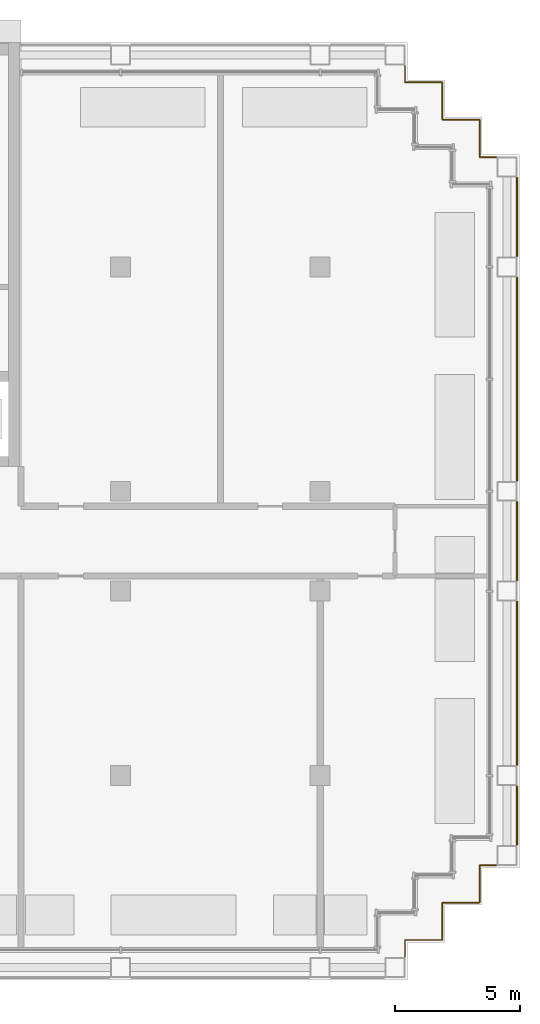
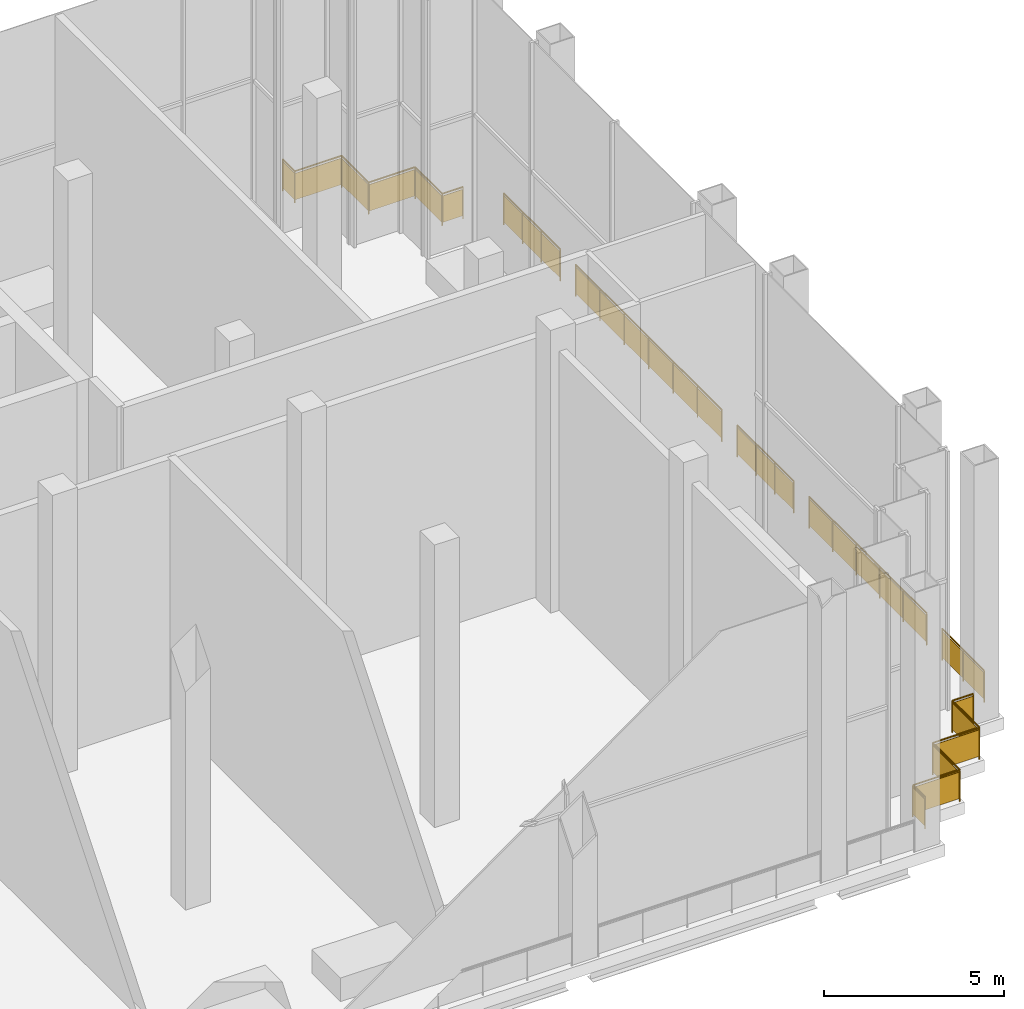
# One storey, part 15 of 16: 7 railings.
"""IFC4 building model written with IfcOpenShell, lengths in metres."""

from ifc_helpers import new_model, si_unit, direction, frame, origin, origin_2d, place, context, subcontext, project, spatial, rectangle, circle, extrude, material, type_object, element, save


model = new_model("IFC4")

# Units and contexts
model_context = context("Model", 3, precision=1e-05, world=origin(), true_north=direction((0.0, 1.0)))
body_context = subcontext(model_context, "Body", "Model", "MODEL_VIEW")
ifc_project = project(units=[si_unit("LENGTHUNIT", "METRE"), si_unit("AREAUNIT", "SQUARE_METRE"), si_unit("VOLUMEUNIT", "CUBIC_METRE"), si_unit("PLANEANGLEUNIT", "RADIAN"), si_unit("MASSUNIT", "GRAM", prefix="KILO")], contexts=[model_context])

# Site, building, storey
site_placement = place(None, origin())
site = spatial("IfcSite", under=ifc_project, at=site_placement, CompositionType="ELEMENT")
building_placement = place(site_placement, origin())
building = spatial("IfcBuilding", under=site, at=building_placement, Name="Vidyagriha Tower", CompositionType="ELEMENT")
storey_placement = place(building_placement, frame((0.0, 0.0, 151.800048828125)))
storey = spatial("IfcBuildingStorey", under=building, at=storey_placement, Name="L40", CompositionType="ELEMENT", Elevation=151.800048828125)

# Railings
ifc_material = material(Name="Steel ASTM A500 Grade C black painted", Category="steel")
railing_type = type_object("IfcRailingType", Name="Gallery guard 1100", PredefinedType="GUARDRAIL", material=ifc_material)
railing_1_placement = place(storey_placement, frame((33.070068359375, -13.0, 0.0)))
element("IfcRailing", 1, at=railing_1_placement, inside=storey, type_object=railing_type, Name="Gallery guard L40 21", PredefinedType="GUARDRAIL", context=body_context, shape_type="SweptSolid", body=[
    extrude(circle(Radius=0.02490234375, at=origin_2d()), frame((0.0, 0.0, 1.0751953125), z_axis=(-1.0, 0.0, 0.0), x_axis=(0.0, -1.0, 0.0)), (0.0, 0.0, 1.0), 0.670166015625),
    extrude(circle(Radius=0.02490234375, at=origin_2d()), frame((-0.670166015625, 0.0, 1.0751953125), z_axis=(0.0, -1.0, 0.0), x_axis=(1.0, 0.0, 0.0)), (0.0, 0.0, 1.0), 1.5),
    extrude(circle(Radius=0.02490234375, at=origin_2d()), frame((-0.670166015625, -1.5, 1.0751953125), z_axis=(-1.0, 0.0, 0.0), x_axis=(0.0, -1.0, 0.0)), (0.0, 0.0, 1.0), 1.5),
    extrude(circle(Radius=0.02490234375, at=origin_2d()), frame((-2.170166015625, -1.5, 1.0751953125), z_axis=(0.0, -1.0, 0.0), x_axis=(1.0, 0.0, 0.0)), (0.0, 0.0, 1.0), 1.5),
    extrude(circle(Radius=0.02490234375, at=origin_2d()), frame((-2.170166015625, -3.0, 1.0751953125), z_axis=(-1.0, 0.0, 0.0), x_axis=(0.0, -1.0, 0.0)), (0.0, 0.0, 1.0), 1.5),
    extrude(circle(Radius=0.02490234375, at=origin_2d()), frame((-3.670166015625, -3.0, 1.0751953125), z_axis=(0.0, -1.0, 0.0), x_axis=(1.0, 0.0, 0.0)), (0.0, 0.0, 1.0), 0.669921875),
    extrude(circle(Radius=0.02001953125, at=origin_2d()), origin(), (0.0, 0.0, 1.0), 1.050048828125),
    extrude(circle(Radius=0.02001953125, at=origin_2d()), frame((-0.670166015625, 0.0, 0.0)), (0.0, 0.0, 1.0), 1.050048828125),
    extrude(circle(Radius=0.02001953125, at=origin_2d()), frame((-0.670166015625, -1.5, 0.0)), (0.0, 0.0, 1.0), 1.050048828125),
    extrude(circle(Radius=0.02001953125, at=origin_2d()), frame((-2.170166015625, -1.5, 0.0)), (0.0, 0.0, 1.0), 1.050048828125),
    extrude(circle(Radius=0.02001953125, at=origin_2d()), frame((-2.170166015625, -3.0, 0.0)), (0.0, 0.0, 1.0), 1.050048828125),
    extrude(circle(Radius=0.02001953125, at=origin_2d()), frame((-3.670166015625, -3.0, 0.0)), (0.0, 0.0, 1.0), 1.050048828125),
    extrude(circle(Radius=0.02001953125, at=origin_2d()), frame((-3.670166015625, -3.669921875, 0.0)), (0.0, 0.0, 1.0), 1.050048828125),
    extrude(rectangle(XDim=0.010009765625, YDim=0.900146484375, at=origin_2d()), frame((0.0, 0.0, 0.550048828125), z_axis=(-1.0, 0.0, 0.0), x_axis=(0.0, -1.0, 0.0)), (0.0, 0.0, 1.0), 0.670166015625),
    extrude(rectangle(XDim=0.010009765625, YDim=0.900146484375, at=origin_2d()), frame((-0.670166015625, 0.0, 0.550048828125), z_axis=(0.0, -1.0, 0.0), x_axis=(1.0, 0.0, 0.0)), (0.0, 0.0, 1.0), 1.5),
    extrude(rectangle(XDim=0.010009765625, YDim=0.900146484375, at=origin_2d()), frame((-0.670166015625, -1.5, 0.550048828125), z_axis=(-1.0, 0.0, 0.0), x_axis=(0.0, -1.0, 0.0)), (0.0, 0.0, 1.0), 1.5),
    extrude(rectangle(XDim=0.010009765625, YDim=0.900146484375, at=origin_2d()), frame((-2.170166015625, -1.5, 0.550048828125), z_axis=(0.0, -1.0, 0.0), x_axis=(1.0, 0.0, 0.0)), (0.0, 0.0, 1.0), 1.5),
    extrude(rectangle(XDim=0.010009765625, YDim=0.900146484375, at=origin_2d()), frame((-2.170166015625, -3.0, 0.550048828125), z_axis=(-1.0, 0.0, 0.0), x_axis=(0.0, -1.0, 0.0)), (0.0, 0.0, 1.0), 1.5),
    extrude(rectangle(XDim=0.010009765625, YDim=0.900146484375, at=origin_2d()), frame((-3.670166015625, -3.0, 0.550048828125), z_axis=(0.0, -1.0, 0.0), x_axis=(1.0, 0.0, 0.0)), (0.0, 0.0, 1.0), 0.669921875),
])
railing_2_placement = place(storey_placement, frame((29.39990234375, 19.070068359375, 0.0)))
element("IfcRailing", 2, at=railing_2_placement, inside=storey, type_object=railing_type, Name="Gallery guard L40 22", PredefinedType="GUARDRAIL", context=body_context, shape_type="SweptSolid", body=[
    extrude(circle(Radius=0.02490234375, at=origin_2d()), frame((0.0, 0.0, 1.0751953125), z_axis=(0.0, -1.0, 0.0), x_axis=(1.0, 0.0, 0.0)), (0.0, 0.0, 1.0), 0.670166015625),
    extrude(circle(Radius=0.02490234375, at=origin_2d()), frame((0.0, -0.670166015625, 1.0751953125), z_axis=(1.0, 0.0, 0.0), x_axis=(0.0, 1.0, 0.0)), (0.0, 0.0, 1.0), 1.5),
    extrude(circle(Radius=0.02490234375, at=origin_2d()), frame((1.5, -0.670166015625, 1.0751953125), z_axis=(0.0, -1.0, 0.0), x_axis=(1.0, 0.0, 0.0)), (0.0, 0.0, 1.0), 1.5),
    extrude(circle(Radius=0.02490234375, at=origin_2d()), frame((1.5, -2.170166015625, 1.0751953125), z_axis=(1.0, 0.0, 0.0), x_axis=(0.0, 1.0, 0.0)), (0.0, 0.0, 1.0), 1.5),
    extrude(circle(Radius=0.02490234375, at=origin_2d()), frame((3.0, -2.170166015625, 1.0751953125), z_axis=(0.0, -1.0, 0.0), x_axis=(1.0, 0.0, 0.0)), (0.0, 0.0, 1.0), 1.5),
    extrude(circle(Radius=0.02490234375, at=origin_2d()), frame((3.0, -3.670166015625, 1.0751953125), z_axis=(1.0, 0.0, 0.0), x_axis=(0.0, 1.0, 0.0)), (0.0, 0.0, 1.0), 0.670166015625),
    extrude(circle(Radius=0.02001953125, at=origin_2d()), origin(), (0.0, 0.0, 1.0), 1.050048828125),
    extrude(circle(Radius=0.02001953125, at=origin_2d()), frame((0.0, -0.670166015625, 0.0)), (0.0, 0.0, 1.0), 1.050048828125),
    extrude(circle(Radius=0.02001953125, at=origin_2d()), frame((1.5, -0.670166015625, 0.0)), (0.0, 0.0, 1.0), 1.050048828125),
    extrude(circle(Radius=0.02001953125, at=origin_2d()), frame((1.5, -2.170166015625, 0.0)), (0.0, 0.0, 1.0), 1.050048828125),
    extrude(circle(Radius=0.02001953125, at=origin_2d()), frame((3.0, -2.170166015625, 0.0)), (0.0, 0.0, 1.0), 1.050048828125),
    extrude(circle(Radius=0.02001953125, at=origin_2d()), frame((3.0, -3.670166015625, 0.0)), (0.0, 0.0, 1.0), 1.050048828125),
    extrude(circle(Radius=0.02001953125, at=origin_2d()), frame((3.670166015625, -3.670166015625, 0.0)), (0.0, 0.0, 1.0), 1.050048828125),
    extrude(rectangle(XDim=0.010009765625, YDim=0.900146484375, at=origin_2d()), frame((0.0, 0.0, 0.550048828125), z_axis=(0.0, -1.0, 0.0), x_axis=(1.0, 0.0, 0.0)), (0.0, 0.0, 1.0), 0.670166015625),
    extrude(rectangle(XDim=0.010009765625, YDim=0.900146484375, at=origin_2d()), frame((0.0, -0.670166015625, 0.550048828125), z_axis=(1.0, 0.0, 0.0), x_axis=(0.0, 1.0, 0.0)), (0.0, 0.0, 1.0), 1.5),
    extrude(rectangle(XDim=0.010009765625, YDim=0.900146484375, at=origin_2d()), frame((1.5, -0.670166015625, 0.550048828125), z_axis=(0.0, -1.0, 0.0), x_axis=(1.0, 0.0, 0.0)), (0.0, 0.0, 1.0), 1.5),
    extrude(rectangle(XDim=0.010009765625, YDim=0.900146484375, at=origin_2d()), frame((1.5, -2.170166015625, 0.550048828125), z_axis=(1.0, 0.0, 0.0), x_axis=(0.0, 1.0, 0.0)), (0.0, 0.0, 1.0), 1.5),
    extrude(rectangle(XDim=0.010009765625, YDim=0.900146484375, at=origin_2d()), frame((3.0, -2.170166015625, 0.550048828125), z_axis=(0.0, -1.0, 0.0), x_axis=(1.0, 0.0, 0.0)), (0.0, 0.0, 1.0), 1.5),
    extrude(rectangle(XDim=0.010009765625, YDim=0.900146484375, at=origin_2d()), frame((3.0, -3.670166015625, 0.550048828125), z_axis=(1.0, 0.0, 0.0), x_axis=(0.0, 1.0, 0.0)), (0.0, 0.0, 1.0), 0.670166015625),
])
railing_3_placement = place(storey_placement, frame((33.89990234375, -9.830078125, 0.0)))
element("IfcRailing", 3, at=railing_3_placement, inside=storey, type_object=railing_type, Name="Gallery guard L40 23", PredefinedType="GUARDRAIL", context=body_context, shape_type="SweptSolid", body=[
    extrude(circle(Radius=0.02490234375, at=origin_2d()), frame((0.0, 0.0, 1.0751953125), z_axis=(0.0, -1.0, 0.0), x_axis=(1.0, 0.0, 0.0)), (0.0, 0.0, 1.0), 2.33984375),
    extrude(circle(Radius=0.02001953125, at=origin_2d()), origin(), (0.0, 0.0, 1.0), 1.050048828125),
    extrude(circle(Radius=0.02001953125, at=origin_2d()), frame((0.0, -1.169921875, 0.0)), (0.0, 0.0, 1.0), 1.050048828125),
    extrude(circle(Radius=0.02001953125, at=origin_2d()), frame((0.0, -2.33984375, 0.0)), (0.0, 0.0, 1.0), 1.050048828125),
    extrude(rectangle(XDim=0.010009765625, YDim=0.900146484375, at=origin_2d()), frame((0.0, 0.0, 0.550048828125), z_axis=(0.0, -1.0, 0.0), x_axis=(1.0, 0.0, 0.0)), (0.0, 0.0, 1.0), 2.33984375),
])
railing_4_placement = place(storey_placement, frame((33.89990234375, -2.429931640625, 0.0)))
element("IfcRailing", 4, at=railing_4_placement, inside=storey, type_object=railing_type, Name="Gallery guard L40 24", PredefinedType="GUARDRAIL", context=body_context, shape_type="SweptSolid", body=[
    extrude(circle(Radius=0.02490234375, at=origin_2d()), frame((0.0, 0.0, 1.0751953125), z_axis=(0.0, -1.0, 0.0), x_axis=(1.0, 0.0, 0.0)), (0.0, 0.0, 1.0), 6.5400390625),
    extrude(circle(Radius=0.02001953125, at=origin_2d()), origin(), (0.0, 0.0, 1.0), 1.050048828125),
    extrude(circle(Radius=0.02001953125, at=origin_2d()), frame((0.0, -1.30810546875, 0.0)), (0.0, 0.0, 1.0), 1.050048828125),
    extrude(circle(Radius=0.02001953125, at=origin_2d()), frame((0.0, -2.615966796875, 0.0)), (0.0, 0.0, 1.0), 1.050048828125),
    extrude(circle(Radius=0.02001953125, at=origin_2d()), frame((0.0, -3.924072265625, 0.0)), (0.0, 0.0, 1.0), 1.050048828125),
    extrude(circle(Radius=0.02001953125, at=origin_2d()), frame((0.0, -5.23193359375, 0.0)), (0.0, 0.0, 1.0), 1.050048828125),
    extrude(circle(Radius=0.02001953125, at=origin_2d()), frame((0.0, -6.5400390625, 0.0)), (0.0, 0.0, 1.0), 1.050048828125),
    extrude(rectangle(XDim=0.010009765625, YDim=0.900146484375, at=origin_2d()), frame((0.0, 0.0, 0.550048828125), z_axis=(0.0, -1.0, 0.0), x_axis=(1.0, 0.0, 0.0)), (0.0, 0.0, 1.0), 6.5400390625),
])
railing_5_placement = place(storey_placement, frame((33.89990234375, 1.570068359375, 0.0)))
element("IfcRailing", 5, at=railing_5_placement, inside=storey, type_object=railing_type, Name="Gallery guard L40 25", PredefinedType="GUARDRAIL", context=body_context, shape_type="SweptSolid", body=[
    extrude(circle(Radius=0.02490234375, at=origin_2d()), frame((0.0, 0.0, 1.0751953125), z_axis=(0.0, -1.0, 0.0), x_axis=(1.0, 0.0, 0.0)), (0.0, 0.0, 1.0), 3.14013671875),
    extrude(circle(Radius=0.02001953125, at=origin_2d()), origin(), (0.0, 0.0, 1.0), 1.050048828125),
    extrude(circle(Radius=0.02001953125, at=origin_2d()), frame((0.0, -1.046630859375, 0.0)), (0.0, 0.0, 1.0), 1.050048828125),
    extrude(circle(Radius=0.02001953125, at=origin_2d()), frame((0.0, -2.093505859375, 0.0)), (0.0, 0.0, 1.0), 1.050048828125),
    extrude(circle(Radius=0.02001953125, at=origin_2d()), frame((0.0, -3.14013671875, 0.0)), (0.0, 0.0, 1.0), 1.050048828125),
    extrude(rectangle(XDim=0.010009765625, YDim=0.900146484375, at=origin_2d()), frame((0.0, 0.0, 0.550048828125), z_axis=(0.0, -1.0, 0.0), x_axis=(1.0, 0.0, 0.0)), (0.0, 0.0, 1.0), 3.14013671875),
])
railing_6_placement = place(storey_placement, frame((33.89990234375, 10.570068359375, 0.0)))
element("IfcRailing", 6, at=railing_6_placement, inside=storey, type_object=railing_type, Name="Gallery guard L40 26", PredefinedType="GUARDRAIL", context=body_context, shape_type="SweptSolid", body=[
    extrude(circle(Radius=0.02490234375, at=origin_2d()), frame((0.0, 0.0, 1.0751953125), z_axis=(0.0, -1.0, 0.0), x_axis=(1.0, 0.0, 0.0)), (0.0, 0.0, 1.0), 8.14013671875),
    extrude(circle(Radius=0.02001953125, at=origin_2d()), origin(), (0.0, 0.0, 1.0), 1.050048828125),
    extrude(circle(Radius=0.02001953125, at=origin_2d()), frame((0.0, -1.356689453125, 0.0)), (0.0, 0.0, 1.0), 1.050048828125),
    extrude(circle(Radius=0.02001953125, at=origin_2d()), frame((0.0, -2.71337890625, 0.0)), (0.0, 0.0, 1.0), 1.050048828125),
    extrude(circle(Radius=0.02001953125, at=origin_2d()), frame((0.0, -4.070068359375, 0.0)), (0.0, 0.0, 1.0), 1.050048828125),
    extrude(circle(Radius=0.02001953125, at=origin_2d()), frame((0.0, -5.4267578125, 0.0)), (0.0, 0.0, 1.0), 1.050048828125),
    extrude(circle(Radius=0.02001953125, at=origin_2d()), frame((0.0, -6.783447265625, 0.0)), (0.0, 0.0, 1.0), 1.050048828125),
    extrude(circle(Radius=0.02001953125, at=origin_2d()), frame((0.0, -8.14013671875, 0.0)), (0.0, 0.0, 1.0), 1.050048828125),
    extrude(rectangle(XDim=0.010009765625, YDim=0.900146484375, at=origin_2d()), frame((0.0, 0.0, 0.550048828125), z_axis=(0.0, -1.0, 0.0), x_axis=(1.0, 0.0, 0.0)), (0.0, 0.0, 1.0), 8.14013671875),
])
railing_7_placement = place(storey_placement, frame((33.89990234375, 14.570068359375, 0.0)))
element("IfcRailing", 7, at=railing_7_placement, inside=storey, type_object=railing_type, Name="Gallery guard L40 27", PredefinedType="GUARDRAIL", context=body_context, shape_type="SweptSolid", body=[
    extrude(circle(Radius=0.02490234375, at=origin_2d()), frame((0.0, 0.0, 1.0751953125), z_axis=(0.0, -1.0, 0.0), x_axis=(1.0, 0.0, 0.0)), (0.0, 0.0, 1.0), 3.14013671875),
    extrude(circle(Radius=0.02001953125, at=origin_2d()), origin(), (0.0, 0.0, 1.0), 1.050048828125),
    extrude(circle(Radius=0.02001953125, at=origin_2d()), frame((0.0, -1.046630859375, 0.0)), (0.0, 0.0, 1.0), 1.050048828125),
    extrude(circle(Radius=0.02001953125, at=origin_2d()), frame((0.0, -2.093505859375, 0.0)), (0.0, 0.0, 1.0), 1.050048828125),
    extrude(circle(Radius=0.02001953125, at=origin_2d()), frame((0.0, -3.14013671875, 0.0)), (0.0, 0.0, 1.0), 1.050048828125),
    extrude(rectangle(XDim=0.010009765625, YDim=0.900146484375, at=origin_2d()), frame((0.0, 0.0, 0.550048828125), z_axis=(0.0, -1.0, 0.0), x_axis=(1.0, 0.0, 0.0)), (0.0, 0.0, 1.0), 3.14013671875),
])

save(model, "model.ifc")
